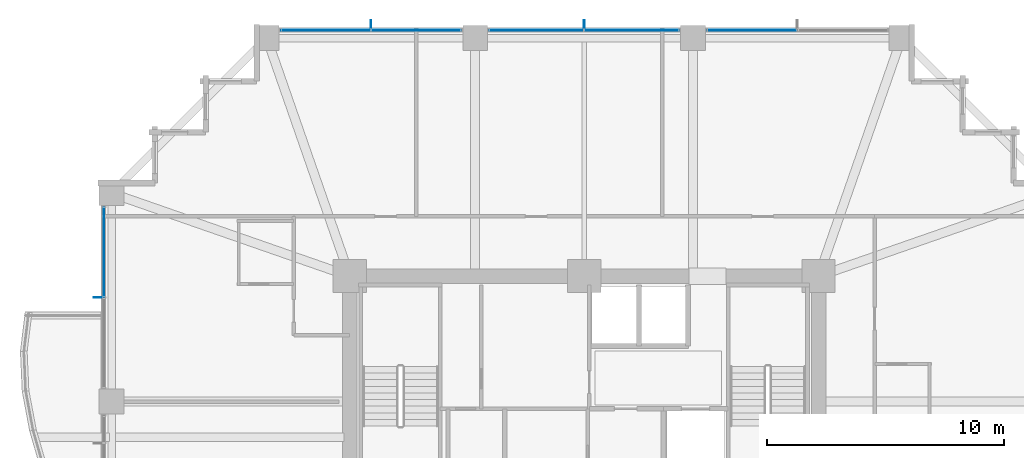
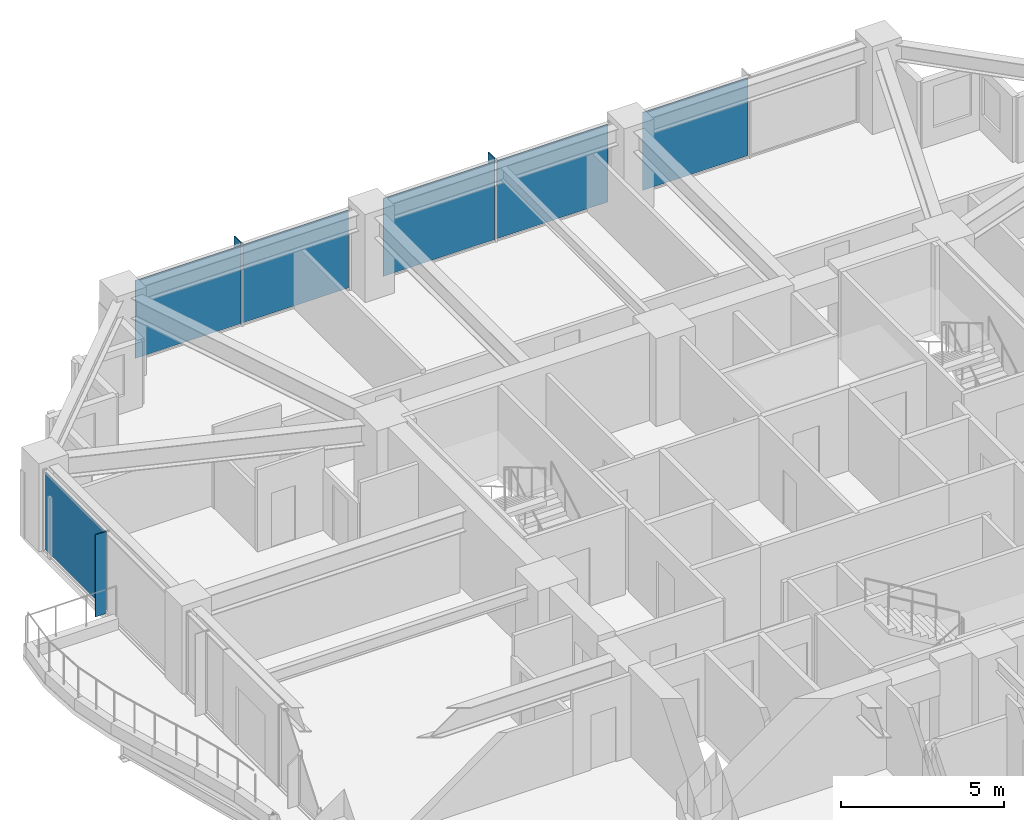
# One storey, part 29 of 38: 9 plates, 4 elements without a shape of their own.
"""IFC4 building model written with IfcOpenShell, lengths in metres."""

from ifc_helpers import new_model, si_unit, direction, frame, origin, origin_2d, place, context, subcontext, project, spatial, rectangle, extrude, material, layer, layer_set, type_object, element, aggregate, save


model = new_model("IFC4")

# Units and contexts
model_context = context("Model", 3, precision=1e-05, world=origin(), true_north=direction((0.0, 1.0)))
body_context = subcontext(model_context, "Body", "Model", "MODEL_VIEW")
ifc_project = project(units=[si_unit("LENGTHUNIT", "METRE"), si_unit("AREAUNIT", "SQUARE_METRE"), si_unit("VOLUMEUNIT", "CUBIC_METRE"), si_unit("PLANEANGLEUNIT", "RADIAN"), si_unit("MASSUNIT", "GRAM", prefix="KILO")], contexts=[model_context])

# Site, building, storey
site_placement = place(None, origin())
site = spatial("IfcSite", under=ifc_project, at=site_placement, CompositionType="ELEMENT")
building_placement = place(site_placement, origin())
building = spatial("IfcBuilding", under=site, at=building_placement, Name="Kolvaren Belvedere", CompositionType="ELEMENT")
storey_placement = place(building_placement, frame((0.0, 0.0, 101.89990234375)))
storey = spatial("IfcBuildingStorey", under=building, at=storey_placement, Name="L29", CompositionType="ELEMENT", Elevation=101.89990234375)

# Curtain wall, plates
ifc_material_1 = material(Name="Anodised pale-metal aluminium AA 6063-T6", Category="aluminium")
curtain_wall_type = type_object("IfcCurtainWallType", Name="CW-Z2-MID", PredefinedType="NOTDEFINED", material=ifc_material_1)
curtain_wall_1_placement = place(storey_placement, origin())
curtain_wall_1 = element("IfcCurtainWall", 1, at=curtain_wall_1_placement, inside=storey, type_object=curtain_wall_type, Name="L29 Unitised Curtain Wall FCW-L29-N-B1", PredefinedType="NOTDEFINED")
ifc_material_2 = material(Name="Low-iron triple insulated glass", Category="glass")
ifc_layer_1 = layer(ifc_material_2, 0.028076171875)
ifc_layer_set_1 = layer_set([ifc_layer_1], Name="Low-iron triple insulated glass")
plate_type_1 = type_object("IfcPlateType", Name="CW-PNL-VIS28", PredefinedType="CURTAIN_PANEL", material=ifc_layer_set_1)
plate_1_placement = place(storey_placement, frame((-10.9111328125, 20.280029296875, 0.080078125), z_axis=(0.0, 0.0, 1.0), x_axis=(1.0, 0.0, 0.0)))
plate_1 = element("IfcPlate", 2, at=plate_1_placement, type_object=plate_type_1, Name="FCW-L29-N-B1 Vision Glazing Panel 1", PredefinedType="CURTAIN_PANEL", context=body_context, shape_type="SweptSolid", body=[
    extrude(rectangle(XDim=3.742431640625, YDim=0.028076171875, at=origin_2d()), origin(), (0.0, 0.0, 1.0), 2.919921875),
])
plate_2_placement = place(storey_placement, frame((-7.0888671875, 20.280029296875, 0.080078125), z_axis=(0.0, 0.0, 1.0), x_axis=(1.0, 0.0, 0.0)))
plate_2 = element("IfcPlate", 3, at=plate_2_placement, type_object=plate_type_1, Name="FCW-L29-N-B1 Vision Glazing Panel 2", PredefinedType="CURTAIN_PANEL", context=body_context, shape_type="SweptSolid", body=[
    extrude(rectangle(XDim=3.742431640625, YDim=0.028076171875, at=origin_2d()), origin(), (0.0, 0.0, 1.0), 2.919921875),
])
aggregate(curtain_wall_1, [plate_1, plate_2])

curtain_wall_2_placement = place(storey_placement, origin())
curtain_wall_2 = element("IfcCurtainWall", 4, at=curtain_wall_2_placement, inside=storey, type_object=curtain_wall_type, Name="L29 Unitised Curtain Wall FCW-L29-N-B2", PredefinedType="NOTDEFINED")
plate_3_placement = place(storey_placement, frame((-2.01123046875, 20.280029296875, 0.080078125), z_axis=(0.0, 0.0, 1.0), x_axis=(1.0, 0.0, 0.0)))
plate_3 = element("IfcPlate", 5, at=plate_3_placement, type_object=plate_type_1, Name="FCW-L29-N-B2 Vision Glazing Panel 1", PredefinedType="CURTAIN_PANEL", context=body_context, shape_type="SweptSolid", body=[
    extrude(rectangle(XDim=3.9423828125, YDim=0.028076171875, at=origin_2d()), origin(), (0.0, 0.0, 1.0), 2.919921875),
])
plate_4_placement = place(storey_placement, frame((2.01123046875, 20.280029296875, 0.080078125), z_axis=(0.0, 0.0, 1.0), x_axis=(1.0, 0.0, 0.0)))
plate_4 = element("IfcPlate", 6, at=plate_4_placement, type_object=plate_type_1, Name="FCW-L29-N-B2 Vision Glazing Panel 2", PredefinedType="CURTAIN_PANEL", context=body_context, shape_type="SweptSolid", body=[
    extrude(rectangle(XDim=3.9423828125, YDim=0.028076171875, at=origin_2d()), origin(), (0.0, 0.0, 1.0), 2.919921875),
])
aggregate(curtain_wall_2, [plate_3, plate_4])

# Curtain wall, plate
curtain_wall_3_placement = place(storey_placement, origin())
curtain_wall_3 = element("IfcCurtainWall", 7, at=curtain_wall_3_placement, inside=storey, type_object=curtain_wall_type, Name="L29 Unitised Curtain Wall FCW-L29-N-B3", PredefinedType="NOTDEFINED")
plate_5_placement = place(storey_placement, frame((7.0888671875, 20.280029296875, 0.080078125), z_axis=(0.0, 0.0, 1.0), x_axis=(1.0, 0.0, 0.0)))
plate_5 = element("IfcPlate", 8, at=plate_5_placement, type_object=plate_type_1, Name="FCW-L29-N-B3 Vision Glazing Panel 1", PredefinedType="CURTAIN_PANEL", context=body_context, shape_type="SweptSolid", body=[
    extrude(rectangle(XDim=3.742431640625, YDim=0.028076171875, at=origin_2d()), origin(), (0.0, 0.0, 1.0), 2.919921875),
])
aggregate(curtain_wall_3, [plate_5])

curtain_wall_4_placement = place(storey_placement, origin())
curtain_wall_4 = element("IfcCurtainWall", 9, at=curtain_wall_4_placement, inside=storey, type_object=curtain_wall_type, Name="L29 Unitised Curtain Wall FCW-L29-W2-B2", PredefinedType="NOTDEFINED")
plate_6_placement = place(storey_placement, frame((-20.280029296875, 10.9111328125, 0.080078125), z_axis=(0.0, 0.0, 1.0), x_axis=(0.0, 1.0, 0.0)))
plate_6 = element("IfcPlate", 10, at=plate_6_placement, type_object=plate_type_1, Name="FCW-L29-W2-B2 Vision Glazing Panel 2", PredefinedType="CURTAIN_PANEL", context=body_context, shape_type="SweptSolid", body=[
    extrude(rectangle(XDim=3.742431640625, YDim=0.028076171875, at=origin_2d()), origin(), (0.0, 0.0, 1.0), 2.919921875),
])
aggregate(curtain_wall_4, [plate_6])

# Plates
ifc_material_3 = material(Name="Anodised pale-metal aluminium AA 6063-T6", Category="aluminium")
ifc_layer_2 = layer(ifc_material_3, 0.033935546875)
ifc_layer_set_2 = layer_set([ifc_layer_2], Name="Anodised pale-metal aluminium AA 6063-T6")
plate_type_2 = type_object("IfcPlateType", Name="FIN-VERT-380", PredefinedType="USERDEFINED", material=ifc_layer_set_2)
for number, where, z_axis, x_axis, name in (
    (11, (-9.0, 20.52490234375, 0.0), (0.0, 0.0, 1.0), (0.0, 1.0, 0.0), "L29 Pale-Metal Vertical Shading Fin FCW-L29-N-B1-1"),
    (12, (0.0, 20.52490234375, 0.0), (0.0, 0.0, 1.0), (0.0, 1.0, 0.0), "L29 Pale-Metal Vertical Shading Fin FCW-L29-N-B2-1"),
    (13, (-20.52490234375, 9.0, 0.0), (0.0, 0.0, 1.0), (1.0, 0.0, 0.0), "L29 Pale-Metal Vertical Shading Fin FCW-L29-W2-B2-1"),
):
    element("IfcPlate", number, at=place(storey_placement, frame(where, z_axis=z_axis, x_axis=x_axis)), inside=storey, type_object=plate_type_2, Name=name, ObjectType="VERTICAL FIN", PredefinedType="USERDEFINED", context=body_context, shape_type="SweptSolid", body=[
        extrude(rectangle(XDim=0.3798828125, YDim=0.033935546875, at=origin_2d()), origin(), (0.0, 0.0, 1.0), 3.080078125),
    ])

save(model, "model.ifc")
